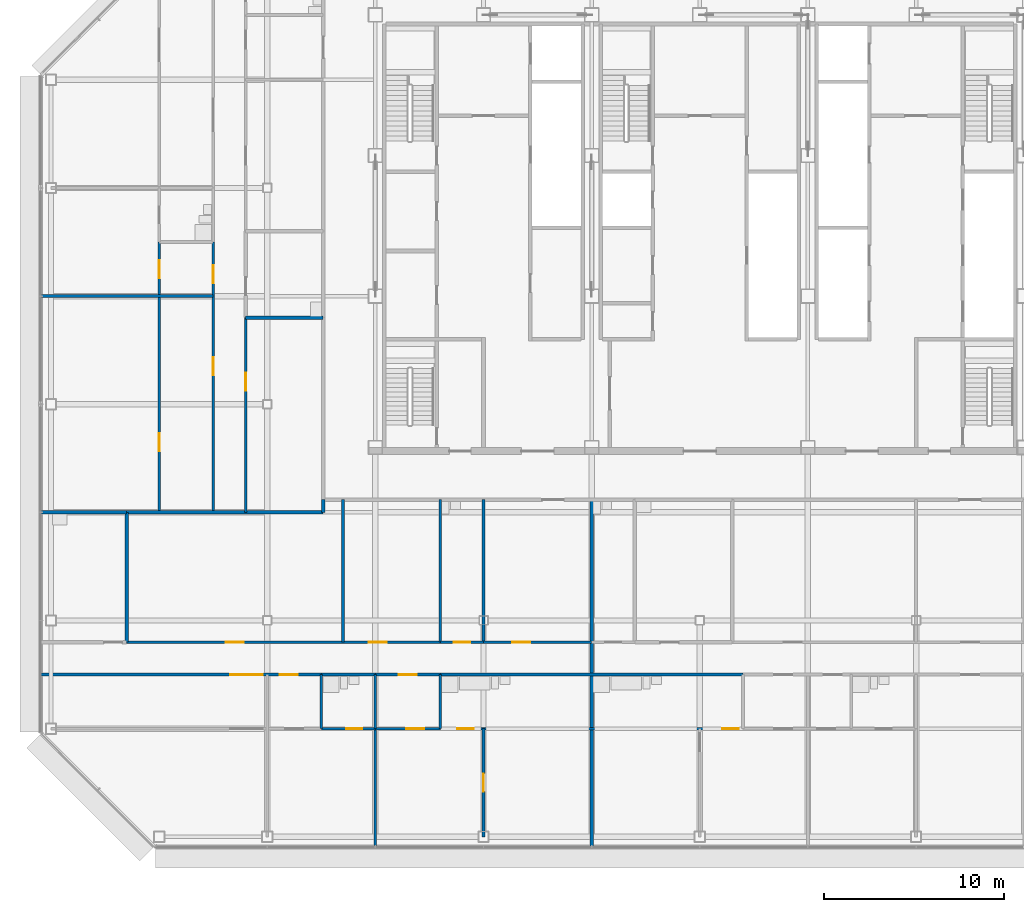
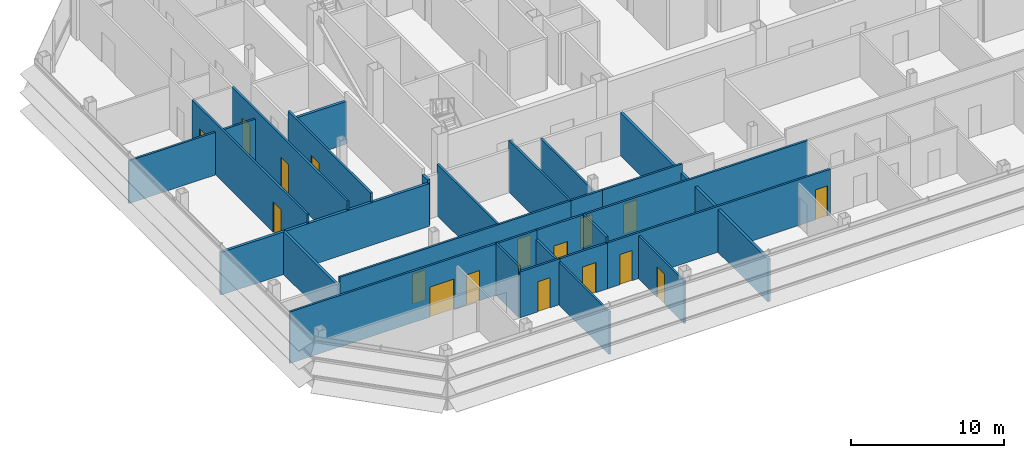
# One storey, part 21 of 29: 28 walls, 17 doors, 17 openings.
"""IFC4 building model written with IfcOpenShell, lengths in metres."""

from ifc_helpers import new_model, si_unit, direction, frame, frame_2d, origin, place, context, subcontext, project, spatial, rectangle, extrude, material, layer, layer_set, type_object, element, fill, save


model = new_model("IFC4")

# Units and contexts
model_context = context("Model", 3, precision=1e-05, world=origin(), true_north=direction((0.0, 1.0)))
body_context = subcontext(model_context, "Body", "Model", "MODEL_VIEW")
ifc_project = project(units=[si_unit("LENGTHUNIT", "METRE"), si_unit("AREAUNIT", "SQUARE_METRE"), si_unit("VOLUMEUNIT", "CUBIC_METRE"), si_unit("PLANEANGLEUNIT", "RADIAN"), si_unit("MASSUNIT", "GRAM", prefix="KILO")], contexts=[model_context])

# Site, building, storey
site_placement = place(None, origin())
site = spatial("IfcSite", under=ifc_project, at=site_placement, CompositionType="ELEMENT")
building_placement = place(site_placement, origin())
building = spatial("IfcBuilding", under=site, at=building_placement, Name="Sorahane Residences", CompositionType="ELEMENT")
storey_placement = place(building_placement, frame((0.0, 0.0, 277.39990234375)))
storey = spatial("IfcBuildingStorey", under=building, at=storey_placement, Name="L66", CompositionType="ELEMENT", Elevation=277.39990234375)

# Walls
ifc_material_1 = material(Name="Concrete blockwork C20 wall", Category="masonry")
ifc_layer_1 = layer(ifc_material_1, 0.199951171875)
ifc_layer_set_1 = layer_set([ifc_layer_1], Name="Kitchen wall 200 EI 180")
wall_type_1 = type_object("IfcWallType", Name="Kitchen wall 200 EI 180", PredefinedType="SOLIDWALL", material=ifc_layer_set_1)
wall_1_placement = place(storey_placement, frame((-7.800048828125, 10.800048828125, 0.0), z_axis=(0.0, 0.0, 1.0), x_axis=(0.0, 1.0, 0.0)))
element("IfcWall", 1, at=wall_1_placement, inside=storey, type_object=wall_type_1, Name="L66 kitchen wall", PredefinedType="SOLIDWALL", context=body_context, shape_type="SweptSolid", body=[
    extrude(rectangle(XDim=7.199951171875, YDim=0.199951171875, at=frame_2d((3.60009765625, 0.0))), origin(), (0.0, 0.0, 1.0), 3.400146484375),
])
wall_2_placement = place(storey_placement, frame((-12.60009765625, 18.0, 0.0), z_axis=(0.0, 0.0, 1.0), x_axis=(1.0, 0.0, 0.0)))
element("IfcWall", 2, at=wall_2_placement, inside=storey, type_object=wall_type_1, Name="L66 kitchen wall", PredefinedType="SOLIDWALL", context=body_context, shape_type="SweptSolid", body=[
    extrude(rectangle(XDim=4.800048828125, YDim=0.199951171875, at=frame_2d((2.39990234375, 0.0))), origin(), (0.0, 0.0, 1.0), 3.400146484375),
])
wall_3_placement = place(storey_placement, frame((-1.199951171875, 28.800048828125, 0.0), z_axis=(0.0, 0.0, 1.0), x_axis=(1.0, 0.0, 0.0)))
element("IfcWall", 3, at=wall_3_placement, inside=storey, type_object=wall_type_1, Name="L66 kitchen wall", PredefinedType="SOLIDWALL", context=body_context, shape_type="SweptSolid", body=[
    extrude(rectangle(XDim=4.300048828125, YDim=0.199951171875, at=frame_2d((2.14990234375, 0.0))), origin(), (0.0, 0.0, 1.0), 3.400146484375),
])

# Wall, opening, door
ifc_material_2 = material(Name="Gypsum board partition on steel studs", Category="steel")
ifc_layer_2 = layer(ifc_material_2, 0.14990234375)
ifc_layer_set_2 = layer_set([ifc_layer_2], Name="Partition 150 EI 90")
wall_type_2 = type_object("IfcWallType", Name="Partition 150 EI 90", PredefinedType="PARTITIONING", material=ifc_layer_set_2)
wall_4_placement = place(storey_placement, frame((-1.199951171875, 18.0, 0.0), z_axis=(0.0, 0.0, 1.0), x_axis=(0.0, 1.0, 0.0)))
wall_4 = element("IfcWall", 4, at=wall_4_placement, inside=storey, type_object=wall_type_2, Name="L66 partition", PredefinedType="PARTITIONING", context=body_context, shape_type="SweptSolid", body=[
    extrude(rectangle(XDim=10.800048828125, YDim=0.14990234375, at=frame_2d((5.39990234375, 0.0))), origin(), (0.0, 0.0, 1.0), 4.10009765625),
])
opening_1_placement = place(wall_4_placement, frame((6.760009765625, 0.0, 0.0)))
opening_1 = element("IfcOpeningElement", 5, at=opening_1_placement, cuts=wall_4, Name="Opening L66-31", PredefinedType="OPENING", context=body_context, shape_type="SweptSolid", body=[
    extrude(rectangle(XDim=1.0, YDim=2.39990234375, at=frame_2d((0.5, 1.199951171875))), frame((0.0, 0.0849609375, 0.0), z_axis=(0.0, -1.0, 0.0), x_axis=(1.0, 0.0, 0.0)), (0.0, 0.0, 1.0), 0.169921875),
])
ifc_material_3 = material(Name="Timber veneered fire door", Category="wood")
door_type_1 = type_object("IfcDoorType", Name="Room door 1000x2400 FD30", OperationType="NOTDEFINED", PredefinedType="DOOR", material=ifc_material_3)
door_1_placement = place(opening_1_placement, frame((1.0, 0.0, 0.0), z_axis=(0.0, 0.0, 1.0), x_axis=(-1.0, 0.0, 0.0)))
door_1 = element("IfcDoor", 6, at=door_1_placement, inside=storey, type_object=door_type_1, Name="Room door L66-31", OperationType="SINGLE_SWING_RIGHT", OverallHeight=2.39990234375, OverallWidth=1.0, PredefinedType="DOOR", context=body_context, shape_type="SweptSolid", body=[
    extrude(rectangle(XDim=1.0, YDim=2.39990234375, at=frame_2d((0.5, 1.199951171875))), frame((0.0, 0.02490234375, 0.0), z_axis=(0.0, -1.0, 0.0), x_axis=(1.0, 0.0, 0.0)), (0.0, 0.0, 1.0), 0.050048828125),
])
fill(opening_1, door_1)

# Wall, openings, doors
wall_5_placement = place(storey_placement, frame((-3.0, 18.0, 0.0), z_axis=(0.0, 0.0, 1.0), x_axis=(0.0, 1.0, 0.0)))
wall_5 = element("IfcWall", 7, at=wall_5_placement, inside=storey, type_object=wall_type_2, Name="L66 partition", PredefinedType="PARTITIONING", context=body_context, shape_type="SweptSolid", body=[
    extrude(rectangle(XDim=15.0, YDim=0.14990234375, at=frame_2d((7.5, 0.0))), origin(), (0.0, 0.0, 1.0), 4.10009765625),
])
opening_2_placement = place(wall_5_placement, frame((7.60009765625, 0.0, 0.0)))
opening_2 = element("IfcOpeningElement", 8, at=opening_2_placement, cuts=wall_5, Name="Opening L66-35", PredefinedType="OPENING", context=body_context, shape_type="SweptSolid", body=[
    extrude(rectangle(XDim=1.0, YDim=2.39990234375, at=frame_2d((0.5, 1.199951171875))), frame((0.0, 0.0849609375, 0.0), z_axis=(0.0, -1.0, 0.0), x_axis=(1.0, 0.0, 0.0)), (0.0, 0.0, 1.0), 0.169921875),
])
opening_3_placement = place(wall_5_placement, frame((12.699951171875, 0.0, 0.0)))
opening_3 = element("IfcOpeningElement", 9, at=opening_3_placement, cuts=wall_5, Name="Opening L66-36", PredefinedType="OPENING", context=body_context, shape_type="SweptSolid", body=[
    extrude(rectangle(XDim=1.0, YDim=2.39990234375, at=frame_2d((0.5, 1.199951171875))), frame((0.0, 0.0849609375, 0.0), z_axis=(0.0, -1.0, 0.0), x_axis=(1.0, 0.0, 0.0)), (0.0, 0.0, 1.0), 0.169921875),
])
door_2_placement = place(opening_2_placement, origin())
door_2 = element("IfcDoor", 10, at=door_2_placement, inside=storey, type_object=door_type_1, Name="Room door L66-35", OperationType="SINGLE_SWING_LEFT", OverallHeight=2.39990234375, OverallWidth=1.0, PredefinedType="DOOR", context=body_context, shape_type="SweptSolid", body=[
    extrude(rectangle(XDim=1.0, YDim=2.39990234375, at=frame_2d((0.5, 1.199951171875))), frame((0.0, 0.02490234375, 0.0), z_axis=(0.0, -1.0, 0.0), x_axis=(1.0, 0.0, 0.0)), (0.0, 0.0, 1.0), 0.050048828125),
])
fill(opening_2, door_2)
door_3_placement = place(opening_3_placement, origin())
door_3 = element("IfcDoor", 11, at=door_3_placement, inside=storey, type_object=door_type_1, Name="Room door L66-36", OperationType="SINGLE_SWING_RIGHT", OverallHeight=2.39990234375, OverallWidth=1.0, PredefinedType="DOOR", context=body_context, shape_type="SweptSolid", body=[
    extrude(rectangle(XDim=1.0, YDim=2.39990234375, at=frame_2d((0.5, 1.199951171875))), frame((0.0, 0.02490234375, 0.0), z_axis=(0.0, -1.0, 0.0), x_axis=(1.0, 0.0, 0.0)), (0.0, 0.0, 1.0), 0.050048828125),
])
fill(opening_3, door_3)

wall_6_placement = place(storey_placement, frame((-6.0, 18.0, 0.0), z_axis=(0.0, 0.0, 1.0), x_axis=(0.0, 1.0, 0.0)))
wall_6 = element("IfcWall", 12, at=wall_6_placement, inside=storey, type_object=wall_type_2, Name="L66 partition", PredefinedType="PARTITIONING", context=body_context, shape_type="SweptSolid", body=[
    extrude(rectangle(XDim=15.0, YDim=0.14990234375, at=frame_2d((7.5, 0.0))), origin(), (0.0, 0.0, 1.0), 4.10009765625),
])
opening_4_placement = place(wall_6_placement, frame((3.39990234375, 0.0, 0.0)))
opening_4 = element("IfcOpeningElement", 13, at=opening_4_placement, cuts=wall_6, Name="Opening L66-38", PredefinedType="OPENING", context=body_context, shape_type="SweptSolid", body=[
    extrude(rectangle(XDim=1.0, YDim=2.39990234375, at=frame_2d((0.5, 1.199951171875))), frame((0.0, 0.0849609375, 0.0), z_axis=(0.0, -1.0, 0.0), x_axis=(1.0, 0.0, 0.0)), (0.0, 0.0, 1.0), 0.169921875),
])
opening_5_placement = place(wall_6_placement, frame((13.0, 0.0, 0.0)))
opening_5 = element("IfcOpeningElement", 14, at=opening_5_placement, cuts=wall_6, Name="Opening L66-39", PredefinedType="OPENING", context=body_context, shape_type="SweptSolid", body=[
    extrude(rectangle(XDim=1.0, YDim=2.39990234375, at=frame_2d((0.5, 1.199951171875))), frame((0.0, 0.0849609375, 0.0), z_axis=(0.0, -1.0, 0.0), x_axis=(1.0, 0.0, 0.0)), (0.0, 0.0, 1.0), 0.169921875),
])
door_4_placement = place(opening_4_placement, origin())
door_4 = element("IfcDoor", 15, at=door_4_placement, inside=storey, type_object=door_type_1, Name="Room door L66-38", OperationType="SINGLE_SWING_LEFT", OverallHeight=2.39990234375, OverallWidth=1.0, PredefinedType="DOOR", context=body_context, shape_type="SweptSolid", body=[
    extrude(rectangle(XDim=1.0, YDim=2.39990234375, at=frame_2d((0.5, 1.199951171875))), frame((0.0, 0.02490234375, 0.0), z_axis=(0.0, -1.0, 0.0), x_axis=(1.0, 0.0, 0.0)), (0.0, 0.0, 1.0), 0.050048828125),
])
fill(opening_4, door_4)
door_5_placement = place(opening_5_placement, origin())
door_5 = element("IfcDoor", 16, at=door_5_placement, inside=storey, type_object=door_type_1, Name="Room door L66-39", OperationType="SINGLE_SWING_LEFT", OverallHeight=2.39990234375, OverallWidth=1.0, PredefinedType="DOOR", context=body_context, shape_type="SweptSolid", body=[
    extrude(rectangle(XDim=1.0, YDim=2.39990234375, at=frame_2d((0.5, 1.199951171875))), frame((0.0, 0.02490234375, 0.0), z_axis=(0.0, -1.0, 0.0), x_axis=(1.0, 0.0, 0.0)), (0.0, 0.0, 1.0), 0.050048828125),
])
fill(opening_5, door_5)

# Wall, opening, door
wall_7_placement = place(storey_placement, frame((12.0, 0.0, 0.0), z_axis=(0.0, 0.0, 1.0), x_axis=(0.0, 1.0, 0.0)))
wall_7 = element("IfcWall", 17, at=wall_7_placement, inside=storey, type_object=wall_type_2, Name="L66 partition", PredefinedType="PARTITIONING", context=body_context, shape_type="SweptSolid", body=[
    extrude(rectangle(XDim=6.0, YDim=0.14990234375, at=frame_2d((3.0, 0.0))), origin(), (0.0, 0.0, 1.0), 3.400146484375),
])
opening_6_placement = place(wall_7_placement, frame((2.5, 0.0, 0.0)))
opening_6 = element("IfcOpeningElement", 18, at=opening_6_placement, cuts=wall_7, Name="Opening L66-13", PredefinedType="OPENING", context=body_context, shape_type="SweptSolid", body=[
    extrude(rectangle(XDim=1.0, YDim=2.39990234375, at=frame_2d((0.5, 1.199951171875))), frame((0.0, 0.0849609375, 0.0), z_axis=(0.0, -1.0, 0.0), x_axis=(1.0, 0.0, 0.0)), (0.0, 0.0, 1.0), 0.169921875),
])
door_6_placement = place(opening_6_placement, frame((1.0, 0.0, 0.0), z_axis=(0.0, 0.0, 1.0), x_axis=(-1.0, 0.0, 0.0)))
door_6 = element("IfcDoor", 19, at=door_6_placement, inside=storey, type_object=door_type_1, Name="Room door L66-13", OperationType="SINGLE_SWING_RIGHT", OverallHeight=2.39990234375, OverallWidth=1.0, PredefinedType="DOOR", context=body_context, shape_type="SweptSolid", body=[
    extrude(rectangle(XDim=1.0, YDim=2.39990234375, at=frame_2d((0.5, 1.199951171875))), frame((0.0, 0.02490234375, 0.0), z_axis=(0.0, -1.0, 0.0), x_axis=(1.0, 0.0, 0.0)), (0.0, 0.0, 1.0), 0.050048828125),
])
fill(opening_6, door_6)

# Walls
wall_8_placement = place(storey_placement, frame((4.199951171875, 10.800048828125, 0.0), z_axis=(0.0, 0.0, 1.0), x_axis=(0.0, 1.0, 0.0)))
element("IfcWall", 20, at=wall_8_placement, inside=storey, type_object=wall_type_2, Name="L66 partition", PredefinedType="PARTITIONING", context=body_context, shape_type="SweptSolid", body=[
    extrude(rectangle(XDim=7.89990234375, YDim=0.14990234375, at=frame_2d((3.949951171875, 0.0))), origin(), (0.0, 0.0, 1.0), 4.10009765625),
])
wall_9_placement = place(storey_placement, frame((6.0, -0.60009765625, 0.0), z_axis=(0.0, 0.0, 1.0), x_axis=(0.0, 1.0, 0.0)))
element("IfcWall", 21, at=wall_9_placement, inside=storey, type_object=wall_type_2, Name="L66 partition", PredefinedType="PARTITIONING", context=body_context, shape_type="SweptSolid", body=[
    extrude(rectangle(XDim=6.60009765625, YDim=0.14990234375, at=frame_2d((3.300048828125, 0.0))), origin(), (0.0, 0.0, 1.0), 3.400146484375),
])

# Wall, openings, doors
wall_10_placement = place(storey_placement, frame((-7.800048828125, 10.800048828125, 0.0), z_axis=(0.0, 0.0, 1.0), x_axis=(1.0, 0.0, 0.0)))
wall_10 = element("IfcWall", 22, at=wall_10_placement, inside=storey, type_object=wall_type_2, Name="L66 partition", PredefinedType="PARTITIONING", context=body_context, shape_type="SweptSolid", body=[
    extrude(rectangle(XDim=17.400146484375, YDim=0.14990234375, at=frame_2d((8.7001953125, 0.0))), origin(), (0.0, 0.0, 1.0), 4.10009765625),
])
opening_7_placement = place(wall_10_placement, frame((5.5, 0.0, 0.0)))
opening_7 = element("IfcOpeningElement", 23, at=opening_7_placement, cuts=wall_10, Name="Opening L66-03", PredefinedType="OPENING", context=body_context, shape_type="SweptSolid", body=[
    extrude(rectangle(XDim=1.0, YDim=2.39990234375, at=frame_2d((0.5, 1.199951171875))), frame((0.0, 0.0849609375, 0.0), z_axis=(0.0, -1.0, 0.0), x_axis=(1.0, 0.0, 0.0)), (0.0, 0.0, 1.0), 0.169921875),
])
opening_8_placement = place(wall_10_placement, frame((13.419921875, 0.0, 0.0)))
opening_8 = element("IfcOpeningElement", 24, at=opening_8_placement, cuts=wall_10, Name="Opening L66-04", PredefinedType="OPENING", context=body_context, shape_type="SweptSolid", body=[
    extrude(rectangle(XDim=1.0, YDim=2.39990234375, at=frame_2d((0.5, 1.199951171875))), frame((0.0, 0.0849609375, 0.0), z_axis=(0.0, -1.0, 0.0), x_axis=(1.0, 0.0, 0.0)), (0.0, 0.0, 1.0), 0.169921875),
])
door_7_placement = place(opening_7_placement, origin())
door_7 = element("IfcDoor", 25, at=door_7_placement, inside=storey, type_object=door_type_1, Name="Room door L66-03", OperationType="SINGLE_SWING_LEFT", OverallHeight=2.39990234375, OverallWidth=1.0, PredefinedType="DOOR", context=body_context, shape_type="SweptSolid", body=[
    extrude(rectangle(XDim=1.0, YDim=2.39990234375, at=frame_2d((0.5, 1.199951171875))), frame((0.0, 0.02490234375, 0.0), z_axis=(0.0, -1.0, 0.0), x_axis=(1.0, 0.0, 0.0)), (0.0, 0.0, 1.0), 0.050048828125),
])
fill(opening_7, door_7)
door_8_placement = place(opening_8_placement, origin())
door_8 = element("IfcDoor", 26, at=door_8_placement, inside=storey, type_object=door_type_1, Name="Room door L66-04", OperationType="SINGLE_SWING_RIGHT", OverallHeight=2.39990234375, OverallWidth=1.0, PredefinedType="DOOR", context=body_context, shape_type="SweptSolid", body=[
    extrude(rectangle(XDim=1.0, YDim=2.39990234375, at=frame_2d((0.5, 1.199951171875))), frame((0.0, 0.02490234375, 0.0), z_axis=(0.0, -1.0, 0.0), x_axis=(1.0, 0.0, 0.0)), (0.0, 0.0, 1.0), 0.050048828125),
])
fill(opening_8, door_8)

# Wall, opening, door
wall_11_placement = place(storey_placement, frame((12.0, 10.800048828125, 0.0), z_axis=(0.0, 0.0, 1.0), x_axis=(1.0, 0.0, 0.0)))
wall_11 = element("IfcWall", 27, at=wall_11_placement, inside=storey, type_object=wall_type_2, Name="L66 partition", PredefinedType="PARTITIONING", context=body_context, shape_type="SweptSolid", body=[
    extrude(rectangle(XDim=6.0, YDim=0.14990234375, at=frame_2d((3.0, 0.0))), origin(), (0.0, 0.0, 1.0), 4.10009765625),
])
opening_9_placement = place(wall_11_placement, frame((1.60009765625, 0.0, 0.0)))
opening_9 = element("IfcOpeningElement", 28, at=opening_9_placement, cuts=wall_11, Name="Opening L66-01", PredefinedType="OPENING", context=body_context, shape_type="SweptSolid", body=[
    extrude(rectangle(XDim=1.0, YDim=2.39990234375, at=frame_2d((0.5, 1.199951171875))), frame((0.0, 0.0849609375, 0.0), z_axis=(0.0, -1.0, 0.0), x_axis=(1.0, 0.0, 0.0)), (0.0, 0.0, 1.0), 0.169921875),
])
door_9_placement = place(opening_9_placement, frame((1.0, 0.0, 0.0), z_axis=(0.0, 0.0, 1.0), x_axis=(-1.0, 0.0, 0.0)))
door_9 = element("IfcDoor", 29, at=door_9_placement, inside=storey, type_object=door_type_1, Name="Room door L66-01", OperationType="SINGLE_SWING_LEFT", OverallHeight=2.39990234375, OverallWidth=1.0, PredefinedType="DOOR", context=body_context, shape_type="SweptSolid", body=[
    extrude(rectangle(XDim=1.0, YDim=2.39990234375, at=frame_2d((0.5, 1.199951171875))), frame((0.0, 0.02490234375, 0.0), z_axis=(0.0, -1.0, 0.0), x_axis=(1.0, 0.0, 0.0)), (0.0, 0.0, 1.0), 0.050048828125),
])
fill(opening_9, door_9)

# Wall
wall_12_placement = place(storey_placement, frame((-12.60009765625, 30.0, 0.0), z_axis=(0.0, 0.0, 1.0), x_axis=(1.0, 0.0, 0.0)))
element("IfcWall", 30, at=wall_12_placement, inside=storey, type_object=wall_type_2, Name="L66 partition", PredefinedType="PARTITIONING", context=body_context, shape_type="SweptSolid", body=[
    extrude(rectangle(XDim=9.60009765625, YDim=0.14990234375, at=frame_2d((4.800048828125, 0.0))), origin(), (0.0, 0.0, 1.0), 3.400146484375),
])

# Wall, opening, door
wall_13_placement = place(storey_placement, frame((6.0, 6.0, 0.0), z_axis=(0.0, 0.0, 1.0), x_axis=(1.0, 0.0, 0.0)))
wall_13 = element("IfcWall", 31, at=wall_13_placement, inside=storey, type_object=wall_type_2, Name="L66 partition", PredefinedType="PARTITIONING", context=body_context, shape_type="SweptSolid", body=[
    extrude(rectangle(XDim=3.60009765625, YDim=0.14990234375, at=frame_2d((1.800048828125, 0.0))), origin(), (0.0, 0.0, 1.0), 3.650146484375),
])
opening_10_placement = place(wall_13_placement, frame((1.719970703125, 0.0, 0.0)))
opening_10 = element("IfcOpeningElement", 32, at=opening_10_placement, cuts=wall_13, Name="Opening L66-12", PredefinedType="OPENING", context=body_context, shape_type="SweptSolid", body=[
    extrude(rectangle(XDim=1.0, YDim=2.39990234375, at=frame_2d((0.5, 1.199951171875))), frame((0.0, 0.0849609375, 0.0), z_axis=(0.0, -1.0, 0.0), x_axis=(1.0, 0.0, 0.0)), (0.0, 0.0, 1.0), 0.169921875),
])
door_10_placement = place(opening_10_placement, frame((1.0, 0.0, 0.0), z_axis=(0.0, 0.0, 1.0), x_axis=(-1.0, 0.0, 0.0)))
door_10 = element("IfcDoor", 33, at=door_10_placement, inside=storey, type_object=door_type_1, Name="Room door L66-12", OperationType="SINGLE_SWING_LEFT", OverallHeight=2.39990234375, OverallWidth=1.0, PredefinedType="DOOR", context=body_context, shape_type="SweptSolid", body=[
    extrude(rectangle(XDim=1.0, YDim=2.39990234375, at=frame_2d((0.5, 1.199951171875))), frame((0.0, 0.02490234375, 0.0), z_axis=(0.0, -1.0, 0.0), x_axis=(1.0, 0.0, 0.0)), (0.0, 0.0, 1.0), 0.050048828125),
])
fill(opening_10, door_10)

# Wall, openings, doors
wall_14_placement = place(storey_placement, frame((-12.60009765625, 9.0, 0.0), z_axis=(0.0, 0.0, 1.0), x_axis=(1.0, 0.0, 0.0)))
wall_14 = element("IfcWall", 34, at=wall_14_placement, inside=storey, type_object=wall_type_2, Name="L66 partition", PredefinedType="PARTITIONING", context=body_context, shape_type="SweptSolid", body=[
    extrude(rectangle(XDim=15.60009765625, YDim=0.14990234375, at=frame_2d((7.800048828125, 0.0))), origin(), (0.0, 0.0, 1.0), 4.10009765625),
])
opening_11_placement = place(wall_14_placement, frame((10.550048828125, 0.0, 0.0)))
opening_11 = element("IfcOpeningElement", 35, at=opening_11_placement, cuts=wall_14, Name="Opening L66-06", PredefinedType="OPENING", context=body_context, shape_type="SweptSolid", body=[
    extrude(rectangle(XDim=1.800048828125, YDim=2.39990234375, at=frame_2d((0.89990234375, 1.199951171875))), frame((0.0, 0.0849609375, 0.0), z_axis=(0.0, -1.0, 0.0), x_axis=(1.0, 0.0, 0.0)), (0.0, 0.0, 1.0), 0.169921875),
])
opening_12_placement = place(wall_14_placement, frame((13.300048828125, 0.0, 0.0)))
opening_12 = element("IfcOpeningElement", 36, at=opening_12_placement, cuts=wall_14, Name="Opening L66-07", PredefinedType="OPENING", context=body_context, shape_type="SweptSolid", body=[
    extrude(rectangle(XDim=1.0, YDim=2.39990234375, at=frame_2d((0.5, 1.199951171875))), frame((0.0, 0.0849609375, 0.0), z_axis=(0.0, -1.0, 0.0), x_axis=(1.0, 0.0, 0.0)), (0.0, 0.0, 1.0), 0.169921875),
])
ifc_material_4 = material(Name="Timber veneered fire door", Category="wood")
door_type_2 = type_object("IfcDoorType", Name="Double door 1800x2400 FD30", OperationType="NOTDEFINED", PredefinedType="DOOR", material=ifc_material_4)
door_11_placement = place(opening_11_placement, frame((1.800048828125, 0.0, 0.0), z_axis=(0.0, 0.0, 1.0), x_axis=(-1.0, 0.0, 0.0)))
door_11 = element("IfcDoor", 37, at=door_11_placement, inside=storey, type_object=door_type_2, Name="Double door L66-06", OperationType="SINGLE_SWING_LEFT", OverallHeight=2.39990234375, OverallWidth=1.800048828125, PredefinedType="DOOR", context=body_context, shape_type="SweptSolid", body=[
    extrude(rectangle(XDim=1.800048828125, YDim=2.39990234375, at=frame_2d((0.89990234375, 1.199951171875))), frame((0.0, 0.02490234375, 0.0), z_axis=(0.0, -1.0, 0.0), x_axis=(1.0, 0.0, 0.0)), (0.0, 0.0, 1.0), 0.050048828125),
])
fill(opening_11, door_11)
door_12_placement = place(opening_12_placement, frame((1.0, 0.0, 0.0), z_axis=(0.0, 0.0, 1.0), x_axis=(-1.0, 0.0, 0.0)))
door_12 = element("IfcDoor", 38, at=door_12_placement, inside=storey, type_object=door_type_1, Name="Room door L66-07", OperationType="SINGLE_SWING_LEFT", OverallHeight=2.39990234375, OverallWidth=1.0, PredefinedType="DOOR", context=body_context, shape_type="SweptSolid", body=[
    extrude(rectangle(XDim=1.0, YDim=2.39990234375, at=frame_2d((0.5, 1.199951171875))), frame((0.0, 0.02490234375, 0.0), z_axis=(0.0, -1.0, 0.0), x_axis=(1.0, 0.0, 0.0)), (0.0, 0.0, 1.0), 0.050048828125),
])
fill(opening_12, door_12)

# Wall, opening, door
wall_15_placement = place(storey_placement, frame((6.0, 9.0, 0.0), z_axis=(0.0, 0.0, 1.0), x_axis=(1.0, 0.0, 0.0)))
wall_15 = element("IfcWall", 39, at=wall_15_placement, inside=storey, type_object=wall_type_2, Name="L66 partition", PredefinedType="PARTITIONING", context=body_context, shape_type="SweptSolid", body=[
    extrude(rectangle(XDim=3.60009765625, YDim=0.14990234375, at=frame_2d((1.800048828125, 0.0))), origin(), (0.0, 0.0, 1.0), 4.10009765625),
])
opening_13_placement = place(wall_15_placement, frame((1.300048828125, 0.0, 0.0)))
opening_13 = element("IfcOpeningElement", 40, at=opening_13_placement, cuts=wall_15, Name="Opening L66-08", PredefinedType="OPENING", context=body_context, shape_type="SweptSolid", body=[
    extrude(rectangle(XDim=1.0, YDim=2.39990234375, at=frame_2d((0.5, 1.199951171875))), frame((0.0, 0.0849609375, 0.0), z_axis=(0.0, -1.0, 0.0), x_axis=(1.0, 0.0, 0.0)), (0.0, 0.0, 1.0), 0.169921875),
])
door_13_placement = place(opening_13_placement, frame((1.0, 0.0, 0.0), z_axis=(0.0, 0.0, 1.0), x_axis=(-1.0, 0.0, 0.0)))
door_13 = element("IfcDoor", 41, at=door_13_placement, inside=storey, type_object=door_type_1, Name="Room door L66-08", OperationType="SINGLE_SWING_RIGHT", OverallHeight=2.39990234375, OverallWidth=1.0, PredefinedType="DOOR", context=body_context, shape_type="SweptSolid", body=[
    extrude(rectangle(XDim=1.0, YDim=2.39990234375, at=frame_2d((0.5, 1.199951171875))), frame((0.0, 0.02490234375, 0.0), z_axis=(0.0, -1.0, 0.0), x_axis=(1.0, 0.0, 0.0)), (0.0, 0.0, 1.0), 0.050048828125),
])
fill(opening_13, door_13)

# Walls
ifc_material_5 = material(Name="Concrete blockwork C20 wall", Category="masonry")
ifc_layer_3 = layer(ifc_material_5, 0.199951171875)
ifc_layer_set_3 = layer_set([ifc_layer_3], Name="Party wall 200 EI 120")
wall_type_3 = type_object("IfcWallType", Name="Party wall 200 EI 120", PredefinedType="SOLIDWALL", material=ifc_layer_set_3)
wall_16_placement = place(storey_placement, frame((18.0, -0.60009765625, 0.0), z_axis=(0.0, 0.0, 1.0), x_axis=(0.0, 1.0, 0.0)))
element("IfcWall", 42, at=wall_16_placement, inside=storey, type_object=wall_type_3, Name="L66 party wall", PredefinedType="SOLIDWALL", context=body_context, shape_type="SweptSolid", body=[
    extrude(rectangle(XDim=19.300048828125, YDim=0.199951171875, at=frame_2d((9.64990234375, 0.0))), origin(), (0.0, 0.0, 1.0), 3.400146484375),
])
wall_17_placement = place(storey_placement, frame((3.10009765625, 18.0, 0.0), z_axis=(0.0, 0.0, 1.0), x_axis=(0.0, 1.0, 0.0)))
element("IfcWall", 43, at=wall_17_placement, inside=storey, type_object=wall_type_3, Name="L66 party wall", PredefinedType="SOLIDWALL", context=body_context, shape_type="SweptSolid", body=[
    extrude(rectangle(XDim=0.699951171875, YDim=0.199951171875, at=frame_2d((0.35009765625, 0.0))), origin(), (0.0, 0.0, 1.0), 3.650146484375),
])
wall_18_placement = place(storey_placement, frame((-7.800048828125, 18.0, 0.0), z_axis=(0.0, 0.0, 1.0), x_axis=(1.0, 0.0, 0.0)))
element("IfcWall", 44, at=wall_18_placement, inside=storey, type_object=wall_type_3, Name="L66 party wall", PredefinedType="SOLIDWALL", context=body_context, shape_type="SweptSolid", body=[
    extrude(rectangle(XDim=10.900146484375, YDim=0.199951171875, at=frame_2d((5.4501953125, 0.0))), origin(), (0.0, 0.0, 1.0), 3.400146484375),
])
ifc_material_6 = material(Name="Gypsum board partition on steel studs", Category="steel")
ifc_layer_4 = layer(ifc_material_6, 0.14990234375)
ifc_layer_set_4 = layer_set([ifc_layer_4], Name="Wet wall 150 EI 90")
wall_type_4 = type_object("IfcWallType", Name="Wet wall 150 EI 90", PredefinedType="PARTITIONING", material=ifc_layer_set_4)
wall_19_placement = place(storey_placement, frame((12.0, 10.800048828125, 0.0), z_axis=(0.0, 0.0, 1.0), x_axis=(0.0, 1.0, 0.0)))
element("IfcWall", 45, at=wall_19_placement, inside=storey, type_object=wall_type_4, Name="L66 wet wall", PredefinedType="PARTITIONING", context=body_context, shape_type="SweptSolid", body=[
    extrude(rectangle(XDim=7.89990234375, YDim=0.14990234375, at=frame_2d((3.949951171875, 0.0))), origin(), (0.0, 0.0, 1.0), 3.400146484375),
])
wall_20_placement = place(storey_placement, frame((3.0, 6.0, 0.0), z_axis=(0.0, 0.0, 1.0), x_axis=(0.0, 1.0, 0.0)))
element("IfcWall", 46, at=wall_20_placement, inside=storey, type_object=wall_type_4, Name="L66 wet wall", PredefinedType="PARTITIONING", context=body_context, shape_type="SweptSolid", body=[
    extrude(rectangle(XDim=3.0, YDim=0.14990234375, at=frame_2d((1.5, 0.0))), origin(), (0.0, 0.0, 1.0), 4.10009765625),
])
wall_21_placement = place(storey_placement, frame((6.0, 6.0, 0.0), z_axis=(0.0, 0.0, 1.0), x_axis=(0.0, 1.0, 0.0)))
element("IfcWall", 47, at=wall_21_placement, inside=storey, type_object=wall_type_4, Name="L66 wet wall", PredefinedType="PARTITIONING", context=body_context, shape_type="SweptSolid", body=[
    extrude(rectangle(XDim=3.0, YDim=0.14990234375, at=frame_2d((1.5, 0.0))), origin(), (0.0, 0.0, 1.0), 3.400146484375),
])
wall_22_placement = place(storey_placement, frame((9.60009765625, 6.0, 0.0), z_axis=(0.0, 0.0, 1.0), x_axis=(0.0, 1.0, 0.0)))
element("IfcWall", 48, at=wall_22_placement, inside=storey, type_object=wall_type_4, Name="L66 wet wall", PredefinedType="PARTITIONING", context=body_context, shape_type="SweptSolid", body=[
    extrude(rectangle(XDim=3.0, YDim=0.14990234375, at=frame_2d((1.5, 0.0))), origin(), (0.0, 0.0, 1.0), 4.10009765625),
])
wall_23_placement = place(storey_placement, frame((9.60009765625, 10.800048828125, 0.0), z_axis=(0.0, 0.0, 1.0), x_axis=(0.0, 1.0, 0.0)))
element("IfcWall", 49, at=wall_23_placement, inside=storey, type_object=wall_type_4, Name="L66 wet wall", PredefinedType="PARTITIONING", context=body_context, shape_type="SweptSolid", body=[
    extrude(rectangle(XDim=7.89990234375, YDim=0.14990234375, at=frame_2d((3.949951171875, 0.0))), origin(), (0.0, 0.0, 1.0), 4.10009765625),
])

# Wall, opening, door
wall_24_placement = place(storey_placement, frame((9.60009765625, 10.800048828125, 0.0), z_axis=(0.0, 0.0, 1.0), x_axis=(1.0, 0.0, 0.0)))
wall_24 = element("IfcWall", 50, at=wall_24_placement, inside=storey, type_object=wall_type_4, Name="L66 wet wall", PredefinedType="PARTITIONING", context=body_context, shape_type="SweptSolid", body=[
    extrude(rectangle(XDim=2.39990234375, YDim=0.14990234375, at=frame_2d((1.199951171875, 0.0))), origin(), (0.0, 0.0, 1.0), 4.10009765625),
])
opening_14_placement = place(wall_24_placement, frame((0.75, 0.0, 0.0)))
opening_14 = element("IfcOpeningElement", 51, at=opening_14_placement, cuts=wall_24, Name="Opening L66-05", PredefinedType="OPENING", context=body_context, shape_type="SweptSolid", body=[
    extrude(rectangle(XDim=0.89990234375, YDim=2.39990234375, at=frame_2d((0.449951171875, 1.199951171875))), frame((0.0, 0.0849609375, 0.0), z_axis=(0.0, -1.0, 0.0), x_axis=(1.0, 0.0, 0.0)), (0.0, 0.0, 1.0), 0.169921875),
])
ifc_material_7 = material(Name="Timber veneered fire door", Category="wood")
door_type_3 = type_object("IfcDoorType", Name="Bathroom door 900x2400 FD30", OperationType="NOTDEFINED", PredefinedType="DOOR", material=ifc_material_7)
door_14_placement = place(opening_14_placement, frame((0.89990234375, 0.0, 0.0), z_axis=(0.0, 0.0, 1.0), x_axis=(-1.0, 0.0, 0.0)))
door_14 = element("IfcDoor", 52, at=door_14_placement, inside=storey, type_object=door_type_3, Name="Bathroom door L66-05", OperationType="SINGLE_SWING_LEFT", OverallHeight=2.39990234375, OverallWidth=0.89990234375, PredefinedType="DOOR", context=body_context, shape_type="SweptSolid", body=[
    extrude(rectangle(XDim=0.89990234375, YDim=2.39990234375, at=frame_2d((0.449951171875, 1.199951171875))), frame((0.0, 0.02490234375, 0.0), z_axis=(0.0, -1.0, 0.0), x_axis=(1.0, 0.0, 0.0)), (0.0, 0.0, 1.0), 0.050048828125),
])
fill(opening_14, door_14)

wall_25_placement = place(storey_placement, frame((3.0, 6.0, 0.0), z_axis=(0.0, 0.0, 1.0), x_axis=(1.0, 0.0, 0.0)))
wall_25 = element("IfcWall", 53, at=wall_25_placement, inside=storey, type_object=wall_type_4, Name="L66 wet wall", PredefinedType="PARTITIONING", context=body_context, shape_type="SweptSolid", body=[
    extrude(rectangle(XDim=3.0, YDim=0.14990234375, at=frame_2d((1.5, 0.0))), origin(), (0.0, 0.0, 1.0), 3.650146484375),
])
opening_15_placement = place(wall_25_placement, frame((1.3701171875, 0.0, 0.0)))
opening_15 = element("IfcOpeningElement", 54, at=opening_15_placement, cuts=wall_25, Name="Opening L66-11", PredefinedType="OPENING", context=body_context, shape_type="SweptSolid", body=[
    extrude(rectangle(XDim=0.89990234375, YDim=2.39990234375, at=frame_2d((0.449951171875, 1.199951171875))), frame((0.0, 0.0849609375, 0.0), z_axis=(0.0, -1.0, 0.0), x_axis=(1.0, 0.0, 0.0)), (0.0, 0.0, 1.0), 0.169921875),
])
door_15_placement = place(opening_15_placement, frame((0.89990234375, 0.0, 0.0), z_axis=(0.0, 0.0, 1.0), x_axis=(-1.0, 0.0, 0.0)))
door_15 = element("IfcDoor", 55, at=door_15_placement, inside=storey, type_object=door_type_3, Name="Bathroom door L66-11", OperationType="SINGLE_SWING_RIGHT", OverallHeight=2.39990234375, OverallWidth=0.89990234375, PredefinedType="DOOR", context=body_context, shape_type="SweptSolid", body=[
    extrude(rectangle(XDim=0.89990234375, YDim=2.39990234375, at=frame_2d((0.449951171875, 1.199951171875))), frame((0.0, 0.02490234375, 0.0), z_axis=(0.0, -1.0, 0.0), x_axis=(1.0, 0.0, 0.0)), (0.0, 0.0, 1.0), 0.050048828125),
])
fill(opening_15, door_15)

# Wall, openings, doors
wall_26_placement = place(storey_placement, frame((9.60009765625, 6.0, 0.0), z_axis=(0.0, 0.0, 1.0), x_axis=(1.0, 0.0, 0.0)))
wall_26 = element("IfcWall", 56, at=wall_26_placement, inside=storey, type_object=wall_type_4, Name="L66 wet wall", PredefinedType="PARTITIONING", context=body_context, shape_type="SweptSolid", body=[
    extrude(rectangle(XDim=16.7998046875, YDim=0.14990234375, at=frame_2d((8.39990234375, 0.0))), origin(), (0.0, 0.0, 1.0), 3.650146484375),
])
opening_16_placement = place(wall_26_placement, frame((0.949951171875, 0.0, 0.0)))
opening_16 = element("IfcOpeningElement", 57, at=opening_16_placement, cuts=wall_26, Name="Opening L66-14", PredefinedType="OPENING", context=body_context, shape_type="SweptSolid", body=[
    extrude(rectangle(XDim=0.89990234375, YDim=2.39990234375, at=frame_2d((0.449951171875, 1.199951171875))), frame((0.0, 0.0849609375, 0.0), z_axis=(0.0, -1.0, 0.0), x_axis=(1.0, 0.0, 0.0)), (0.0, 0.0, 1.0), 0.169921875),
])
opening_17_placement = place(wall_26_placement, frame((15.64990234375, 0.0, 0.0)))
opening_17 = element("IfcOpeningElement", 58, at=opening_17_placement, cuts=wall_26, Name="Opening L66-26", PredefinedType="OPENING", context=body_context, shape_type="SweptSolid", body=[
    extrude(rectangle(XDim=0.89990234375, YDim=2.39990234375, at=frame_2d((0.449951171875, 1.199951171875))), frame((0.0, 0.0849609375, 0.0), z_axis=(0.0, -1.0, 0.0), x_axis=(1.0, 0.0, 0.0)), (0.0, 0.0, 1.0), 0.169921875),
])
door_16_placement = place(opening_16_placement, frame((0.89990234375, 0.0, 0.0), z_axis=(0.0, 0.0, 1.0), x_axis=(-1.0, 0.0, 0.0)))
door_16 = element("IfcDoor", 59, at=door_16_placement, inside=storey, type_object=door_type_3, Name="Bathroom door L66-14", OperationType="SINGLE_SWING_LEFT", OverallHeight=2.39990234375, OverallWidth=0.89990234375, PredefinedType="DOOR", context=body_context, shape_type="SweptSolid", body=[
    extrude(rectangle(XDim=0.89990234375, YDim=2.39990234375, at=frame_2d((0.449951171875, 1.199951171875))), frame((0.0, 0.02490234375, 0.0), z_axis=(0.0, -1.0, 0.0), x_axis=(1.0, 0.0, 0.0)), (0.0, 0.0, 1.0), 0.050048828125),
])
fill(opening_16, door_16)
door_17_placement = place(opening_17_placement, frame((0.89990234375, 0.0, 0.0), z_axis=(0.0, 0.0, 1.0), x_axis=(-1.0, 0.0, 0.0)))
door_17 = element("IfcDoor", 60, at=door_17_placement, inside=storey, type_object=door_type_3, Name="Bathroom door L66-26", OperationType="SINGLE_SWING_LEFT", OverallHeight=2.39990234375, OverallWidth=0.89990234375, PredefinedType="DOOR", context=body_context, shape_type="SweptSolid", body=[
    extrude(rectangle(XDim=0.89990234375, YDim=2.39990234375, at=frame_2d((0.449951171875, 1.199951171875))), frame((0.0, 0.02490234375, 0.0), z_axis=(0.0, -1.0, 0.0), x_axis=(1.0, 0.0, 0.0)), (0.0, 0.0, 1.0), 0.050048828125),
])
fill(opening_17, door_17)

# Walls
wall_27_placement = place(storey_placement, frame((3.0, 9.0, 0.0), z_axis=(0.0, 0.0, 1.0), x_axis=(1.0, 0.0, 0.0)))
element("IfcWall", 61, at=wall_27_placement, inside=storey, type_object=wall_type_4, Name="L66 wet wall", PredefinedType="PARTITIONING", context=body_context, shape_type="SweptSolid", body=[
    extrude(rectangle(XDim=3.0, YDim=0.14990234375, at=frame_2d((1.5, 0.0))), origin(), (0.0, 0.0, 1.0), 4.10009765625),
])
wall_28_placement = place(storey_placement, frame((9.60009765625, 9.0, 0.0), z_axis=(0.0, 0.0, 1.0), x_axis=(1.0, 0.0, 0.0)))
element("IfcWall", 62, at=wall_28_placement, inside=storey, type_object=wall_type_4, Name="L66 wet wall", PredefinedType="PARTITIONING", context=body_context, shape_type="SweptSolid", body=[
    extrude(rectangle(XDim=16.7998046875, YDim=0.14990234375, at=frame_2d((8.39990234375, 0.0))), origin(), (0.0, 0.0, 1.0), 4.10009765625),
])

save(model, "model.ifc")
